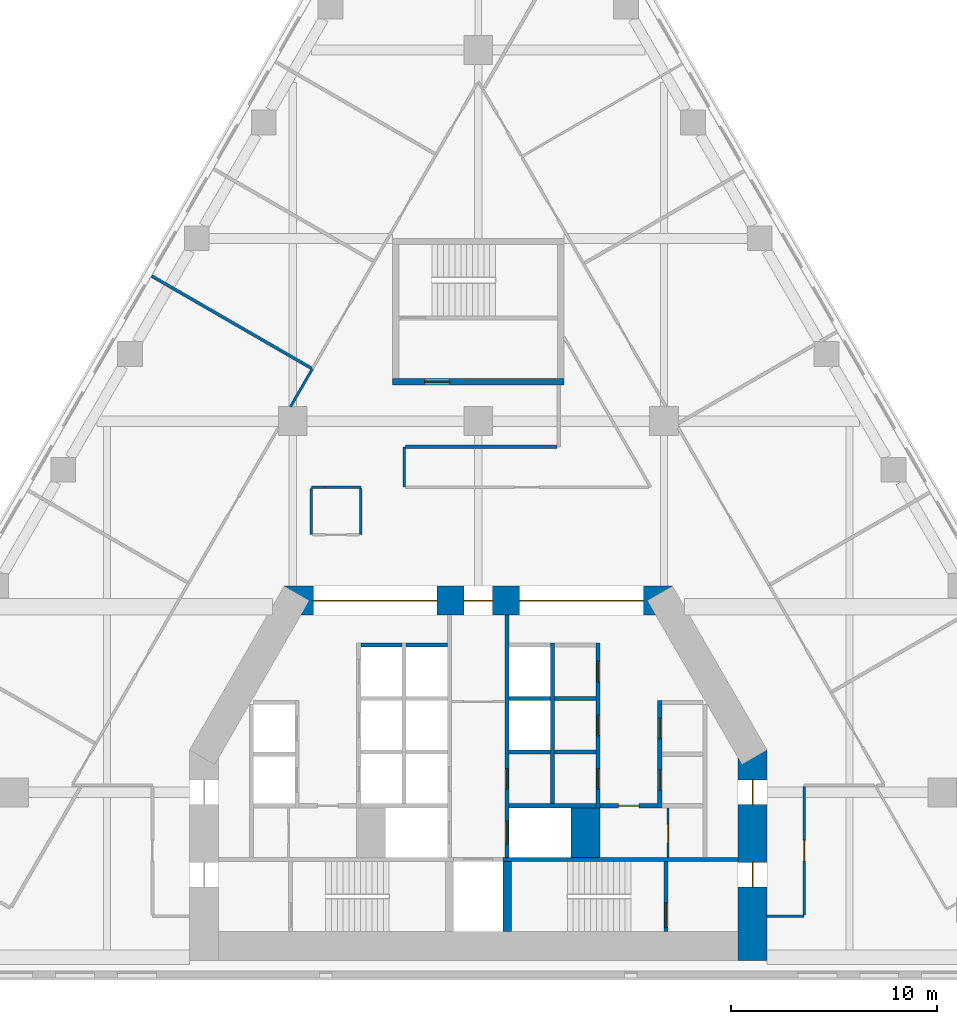
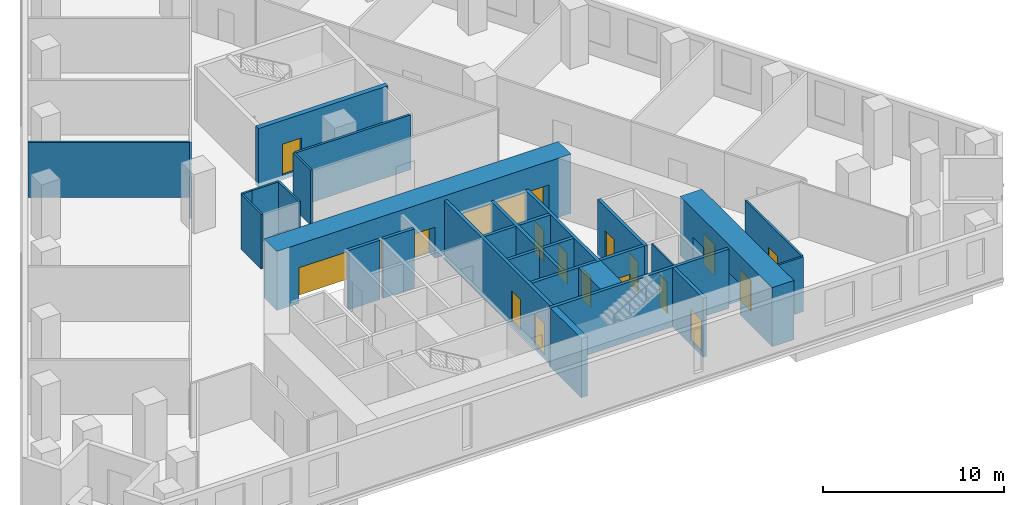
# One storey, part 5 of 9: 30 walls, 17 doors, 17 openings.
"""IFC4 building model written with IfcOpenShell, lengths in metres."""

from ifc_helpers import new_model, si_unit, direction, frame, frame_2d, origin, place, context, subcontext, project, spatial, rectangle, extrude, material, layer, layer_set, type_object, element, fill, save


model = new_model("IFC4")

# Units and contexts
model_context = context("Model", 3, precision=1e-05, world=origin(), true_north=direction((0.0, 1.0)))
body_context = subcontext(model_context, "Body", "Model", "MODEL_VIEW")
ifc_project = project(units=[si_unit("LENGTHUNIT", "METRE"), si_unit("AREAUNIT", "SQUARE_METRE"), si_unit("VOLUMEUNIT", "CUBIC_METRE"), si_unit("PLANEANGLEUNIT", "RADIAN"), si_unit("MASSUNIT", "GRAM", prefix="KILO")], contexts=[model_context])

# Site, building, storey
site_placement = place(None, origin())
site = spatial("IfcSite", under=ifc_project, at=site_placement, CompositionType="ELEMENT")
building_placement = place(site_placement, origin())
building = spatial("IfcBuilding", under=site, at=building_placement, Name="Fogline Exchange Tower", CompositionType="ELEMENT")
storey_placement = place(building_placement, frame((0.0, 0.0, 72.89990234375)))
storey = spatial("IfcBuildingStorey", under=building, at=storey_placement, Name="L15", CompositionType="ELEMENT", Elevation=72.89990234375)

# Wall, opening, door
ifc_material_1 = material(Name="Blockwork partition", Category="masonry")
ifc_layer_1 = layer(ifc_material_1, 0.10009765625)
ifc_layer_set_1 = layer_set([ifc_layer_1], Name="CW10")
wall_type_1 = type_object("IfcWallType", Name="CW10", PredefinedType="PARTITIONING", material=ifc_layer_set_1)
wall_1_placement = place(storey_placement, frame((9.199951171875, 5.85009765625, 0.0), z_axis=(0.0, 0.0, 1.0), x_axis=(0.0, 1.0, 0.0)))
wall_1 = element("IfcWall", 1, at=wall_1_placement, inside=storey, type_object=wall_type_1, Name="WC partition", PredefinedType="PARTITIONING", context=body_context, shape_type="SweptSolid", body=[
    extrude(rectangle(XDim=2.39990234375, YDim=0.10009765625, at=frame_2d((1.199951171875, 0.0))), origin(), (0.0, 0.0, 1.0), 3.7001953125),
])
opening_1_placement = place(wall_1_placement, frame((0.699951171875, 0.0, 0.0)))
opening_1 = element("IfcOpeningElement", 2, at=opening_1_placement, cuts=wall_1, Name="Opening T04-C013", PredefinedType="OPENING", context=body_context, shape_type="SweptSolid", body=[
    extrude(rectangle(XDim=0.89990234375, YDim=2.10009765625, at=frame_2d((0.449951171875, 1.050048828125))), frame((0.0, 0.06005859375, 0.0), z_axis=(0.0, -1.0, 0.0), x_axis=(1.0, 0.0, 0.0)), (0.0, 0.0, 1.0), 0.1201171875),
])
ifc_material_2 = material(Name="Steel and timber fire door", Category="steel")
door_type_1 = type_object("IfcDoorType", Name="D-CS1", OperationType="SINGLE_SWING_RIGHT", PredefinedType="DOOR", material=ifc_material_2)
door_1_placement = place(opening_1_placement, frame((0.89990234375, 0.0, 0.0), z_axis=(0.0, 0.0, 1.0), x_axis=(-1.0, 0.0, 0.0)))
door_1 = element("IfcDoor", 3, at=door_1_placement, inside=storey, type_object=door_type_1, Name="Door to Cleaner's Store", OperationType="SINGLE_SWING_RIGHT", OverallHeight=2.10009765625, OverallWidth=0.89990234375, PredefinedType="DOOR", context=body_context, shape_type="SweptSolid", body=[
    extrude(rectangle(XDim=0.89990234375, YDim=2.10009765625, at=frame_2d((0.449951171875, 1.050048828125))), frame((0.0, 0.02490234375, 0.0), z_axis=(0.0, -1.0, 0.0), x_axis=(1.0, 0.0, 0.0)), (0.0, 0.0, 1.0), 0.050048828125),
])
fill(opening_1, door_1)

# Wall
ifc_material_3 = material(Name="Concrete C60", Category="concrete")
ifc_layer_2 = layer(ifc_material_3, 1.39990234375)
ifc_layer_set_2 = layer_set([ifc_layer_2], Name="CW140")
wall_type_2 = type_object("IfcWallType", Name="CW140", PredefinedType="SOLIDWALL", material=ifc_layer_set_2)
wall_2_placement = place(storey_placement, frame((5.199951171875, 5.85009765625, -0.2998046875), z_axis=(0.0, 0.0, 1.0), x_axis=(0.0, 1.0, 0.0)))
element("IfcWall", 4, at=wall_2_placement, inside=storey, type_object=wall_type_2, Name="Lift shaft block wall", PredefinedType="SOLIDWALL", context=body_context, shape_type="SweptSolid", body=[
    extrude(rectangle(XDim=2.39990234375, YDim=1.39990234375, at=frame_2d((1.199951171875, 0.0))), origin(), (0.0, 0.0, 1.0), 4.0),
])

# Wall, opening, door
ifc_material_4 = material(Name="Concrete C40", Category="concrete")
ifc_layer_3 = layer(ifc_material_4, 0.199951171875)
ifc_layer_set_3 = layer_set([ifc_layer_3], Name="CW20")
wall_type_3 = type_object("IfcWallType", Name="CW20", PredefinedType="SOLIDWALL", material=ifc_layer_set_3)
wall_3_placement = place(storey_placement, frame((5.89990234375, 8.35009765625, 0.0), z_axis=(0.0, 0.0, 1.0), x_axis=(1.0, 0.0, 0.0)))
wall_3 = element("IfcWall", 5, at=wall_3_placement, inside=storey, type_object=wall_type_3, Name="WC wall", PredefinedType="SOLIDWALL", context=body_context, shape_type="SweptSolid", body=[
    extrude(rectangle(XDim=2.800048828125, YDim=0.199951171875, at=frame_2d((1.39990234375, 0.0))), origin(), (0.0, 0.0, 1.0), 3.7001953125),
])
opening_2_placement = place(wall_3_placement, frame((0.89990234375, 0.0, 0.0)))
opening_2 = element("IfcOpeningElement", 6, at=opening_2_placement, cuts=wall_3, Name="Opening T04-C012", PredefinedType="OPENING", context=body_context, shape_type="SweptSolid", body=[
    extrude(rectangle(XDim=1.0, YDim=2.10009765625, at=frame_2d((0.5, 1.050048828125))), frame((0.0, 0.10986328125, 0.0), z_axis=(0.0, -1.0, 0.0), x_axis=(1.0, 0.0, 0.0)), (0.0, 0.0, 1.0), 0.219970703125),
])
door_type_2 = type_object("IfcDoorType", Name="D-WC1", OperationType="SINGLE_SWING_LEFT", PredefinedType="DOOR", material=ifc_material_2)
door_2_placement = place(opening_2_placement, frame((1.0, 0.0, 0.0), z_axis=(0.0, 0.0, 1.0), x_axis=(-1.0, 0.0, 0.0)))
door_2 = element("IfcDoor", 7, at=door_2_placement, inside=storey, type_object=door_type_2, Name="Door to Women's WC", OperationType="SINGLE_SWING_LEFT", OverallHeight=2.10009765625, OverallWidth=1.0, PredefinedType="DOOR", context=body_context, shape_type="SweptSolid", body=[
    extrude(rectangle(XDim=1.0, YDim=2.10009765625, at=frame_2d((0.5, 1.050048828125))), frame((0.0, 0.02490234375, 0.0), z_axis=(0.0, -1.0, 0.0), x_axis=(1.0, 0.0, 0.0)), (0.0, 0.0, 1.0), 0.050048828125),
])
fill(opening_2, door_2)

# Wall
ifc_layer_4 = layer(ifc_material_4, 0.199951171875)
ifc_layer_set_4 = layer_set([ifc_layer_4], Name="CW20R")
wall_type_4 = type_object("IfcWallType", Name="CW20R", PredefinedType="SOLIDWALL", material=ifc_layer_set_4)
wall_4_placement = place(storey_placement, frame((1.199951171875, 5.75, -0.2998046875), z_axis=(0.0, 0.0, 1.0), x_axis=(1.0, 0.0, 0.0)))
element("IfcWall", 8, at=wall_4_placement, inside=storey, type_object=wall_type_4, Name="Stair enclosure wall", PredefinedType="SOLIDWALL", context=body_context, shape_type="SweptSolid", body=[
    extrude(rectangle(XDim=11.400146484375, YDim=0.199951171875, at=frame_2d((5.7001953125, 0.0))), origin(), (0.0, 0.0, 1.0), 4.0),
])

# Wall, opening, door
wall_5_placement = place(storey_placement, frame((9.10009765625, 2.25, -0.2998046875), z_axis=(0.0, 0.0, 1.0), x_axis=(0.0, 1.0, 0.0)))
wall_5 = element("IfcWall", 9, at=wall_5_placement, inside=storey, type_object=wall_type_4, Name="Stair enclosure wall", PredefinedType="SOLIDWALL", context=body_context, shape_type="SweptSolid", body=[
    extrude(rectangle(XDim=3.39990234375, YDim=0.199951171875, at=frame_2d((1.699951171875, 0.0))), origin(), (0.0, 0.0, 1.0), 4.0),
])
opening_3_placement = place(wall_5_placement, frame((0.199951171875, 0.0, 0.300048828125)))
opening_3 = element("IfcOpeningElement", 10, at=opening_3_placement, cuts=wall_5, Name="Opening T04-C015", PredefinedType="OPENING", context=body_context, shape_type="SweptSolid", body=[
    extrude(rectangle(XDim=1.199951171875, YDim=2.10009765625, at=frame_2d((0.60009765625, 1.050048828125))), frame((0.0, 0.10986328125, 0.0), z_axis=(0.0, -1.0, 0.0), x_axis=(1.0, 0.0, 0.0)), (0.0, 0.0, 1.0), 0.219970703125),
])
door_type_3 = type_object("IfcDoorType", Name="D-ST1", OperationType="SINGLE_SWING_LEFT", PredefinedType="DOOR", material=ifc_material_2)
door_3_placement = place(opening_3_placement, origin())
door_3 = element("IfcDoor", 11, at=door_3_placement, inside=storey, type_object=door_type_3, Name="Stair door ST2", OperationType="SINGLE_SWING_LEFT", OverallHeight=2.10009765625, OverallWidth=1.199951171875, PredefinedType="DOOR", context=body_context, shape_type="SweptSolid", body=[
    extrude(rectangle(XDim=1.199951171875, YDim=2.10009765625, at=frame_2d((0.60009765625, 1.050048828125))), frame((0.0, 0.02490234375, 0.0), z_axis=(0.0, -1.0, 0.0), x_axis=(1.0, 0.0, 0.0)), (0.0, 0.0, 1.0), 0.050048828125),
])
fill(opening_3, door_3)

# Wall, openings, doors
ifc_layer_5 = layer(ifc_material_4, 0.199951171875)
ifc_layer_set_5 = layer_set([ifc_layer_5], Name="CW20S")
wall_type_5 = type_object("IfcWallType", Name="CW20S", PredefinedType="SOLIDWALL", material=ifc_layer_set_5)
wall_6_placement = place(storey_placement, frame((8.800048828125, 8.25, -0.2998046875), z_axis=(0.0, 0.0, 1.0), x_axis=(0.0, 1.0, 0.0)))
wall_6 = element("IfcWall", 12, at=wall_6_placement, inside=storey, type_object=wall_type_5, Name="Lift shaft wall", PredefinedType="SOLIDWALL", context=body_context, shape_type="SweptSolid", body=[
    extrude(rectangle(XDim=5.199951171875, YDim=0.199951171875, at=frame_2d((2.60009765625, 0.0))), origin(), (0.0, 0.0, 1.0), 4.0),
])
opening_4_placement = place(wall_6_placement, frame((0.85009765625, 0.0, 0.300048828125)))
opening_4 = element("IfcOpeningElement", 13, at=opening_4_placement, cuts=wall_6, Name="Opening T04-C001", PredefinedType="OPENING", context=body_context, shape_type="SweptSolid", body=[
    extrude(rectangle(XDim=1.0, YDim=2.10009765625, at=frame_2d((0.5, 1.050048828125))), frame((0.0, 0.10986328125, 0.0), z_axis=(0.0, -1.0, 0.0), x_axis=(1.0, 0.0, 0.0)), (0.0, 0.0, 1.0), 0.219970703125),
])
opening_5_placement = place(wall_6_placement, frame((3.35009765625, 0.0, 0.300048828125)))
opening_5 = element("IfcOpeningElement", 14, at=opening_5_placement, cuts=wall_6, Name="Opening T04-C002", PredefinedType="OPENING", context=body_context, shape_type="SweptSolid", body=[
    extrude(rectangle(XDim=1.0, YDim=2.10009765625, at=frame_2d((0.5, 1.050048828125))), frame((0.0, 0.10986328125, 0.0), z_axis=(0.0, -1.0, 0.0), x_axis=(1.0, 0.0, 0.0)), (0.0, 0.0, 1.0), 0.219970703125),
])
door_type_4 = type_object("IfcDoorType", Name="D-RM1", OperationType="SINGLE_SWING_LEFT", PredefinedType="DOOR", material=ifc_material_2)
door_4_placement = place(opening_4_placement, frame((1.0, 0.0, 0.0), z_axis=(0.0, 0.0, 1.0), x_axis=(-1.0, 0.0, 0.0)))
door_4 = element("IfcDoor", 15, at=door_4_placement, inside=storey, type_object=door_type_4, Name="Door to Stationery Store", OperationType="SINGLE_SWING_LEFT", OverallHeight=2.10009765625, OverallWidth=1.0, PredefinedType="DOOR", context=body_context, shape_type="SweptSolid", body=[
    extrude(rectangle(XDim=1.0, YDim=2.10009765625, at=frame_2d((0.5, 1.050048828125))), frame((0.0, 0.02490234375, 0.0), z_axis=(0.0, -1.0, 0.0), x_axis=(1.0, 0.0, 0.0)), (0.0, 0.0, 1.0), 0.050048828125),
])
fill(opening_4, door_4)
door_5_placement = place(opening_5_placement, frame((1.0, 0.0, 0.0), z_axis=(0.0, 0.0, 1.0), x_axis=(-1.0, 0.0, 0.0)))
door_5 = element("IfcDoor", 16, at=door_5_placement, inside=storey, type_object=door_type_4, Name="Door to Records Store", OperationType="SINGLE_SWING_LEFT", OverallHeight=2.10009765625, OverallWidth=1.0, PredefinedType="DOOR", context=body_context, shape_type="SweptSolid", body=[
    extrude(rectangle(XDim=1.0, YDim=2.10009765625, at=frame_2d((0.5, 1.050048828125))), frame((0.0, 0.02490234375, 0.0), z_axis=(0.0, -1.0, 0.0), x_axis=(1.0, 0.0, 0.0)), (0.0, 0.0, 1.0), 0.050048828125),
])
fill(opening_5, door_5)

wall_7_placement = place(storey_placement, frame((5.800048828125, 8.25, -0.2998046875), z_axis=(0.0, 0.0, 1.0), x_axis=(0.0, 1.0, 0.0)))
wall_7 = element("IfcWall", 17, at=wall_7_placement, inside=storey, type_object=wall_type_5, Name="Lift shaft wall", PredefinedType="SOLIDWALL", context=body_context, shape_type="SweptSolid", body=[
    extrude(rectangle(XDim=8.0, YDim=0.199951171875, at=frame_2d((4.0, 0.0))), origin(), (0.0, 0.0, 1.0), 4.0),
])
opening_6_placement = place(wall_7_placement, frame((0.89990234375, 0.0, 0.300048828125)))
opening_6 = element("IfcOpeningElement", 18, at=opening_6_placement, cuts=wall_7, Name="Opening T04-C003", PredefinedType="OPENING", context=body_context, shape_type="SweptSolid", body=[
    extrude(rectangle(XDim=1.0, YDim=2.10009765625, at=frame_2d((0.5, 1.050048828125))), frame((0.0, 0.10986328125, 0.0), z_axis=(0.0, -1.0, 0.0), x_axis=(1.0, 0.0, 0.0)), (0.0, 0.0, 1.0), 0.219970703125),
])
opening_7_placement = place(wall_7_placement, frame((3.5, 0.0, 0.300048828125)))
opening_7 = element("IfcOpeningElement", 19, at=opening_7_placement, cuts=wall_7, Name="Opening T04-C004", PredefinedType="OPENING", context=body_context, shape_type="SweptSolid", body=[
    extrude(rectangle(XDim=1.0, YDim=2.10009765625, at=frame_2d((0.5, 1.050048828125))), frame((0.0, 0.10986328125, 0.0), z_axis=(0.0, -1.0, 0.0), x_axis=(1.0, 0.0, 0.0)), (0.0, 0.0, 1.0), 0.219970703125),
])
opening_8_placement = place(wall_7_placement, frame((6.10009765625, 0.0, 0.300048828125)))
opening_8 = element("IfcOpeningElement", 20, at=opening_8_placement, cuts=wall_7, Name="Opening T04-C005", PredefinedType="OPENING", context=body_context, shape_type="SweptSolid", body=[
    extrude(rectangle(XDim=1.0, YDim=2.10009765625, at=frame_2d((0.5, 1.050048828125))), frame((0.0, 0.10986328125, 0.0), z_axis=(0.0, -1.0, 0.0), x_axis=(1.0, 0.0, 0.0)), (0.0, 0.0, 1.0), 0.219970703125),
])
door_6_placement = place(opening_6_placement, origin())
door_6 = element("IfcDoor", 21, at=door_6_placement, inside=storey, type_object=door_type_4, Name="Door to Riser Room", OperationType="SINGLE_SWING_RIGHT", OverallHeight=2.10009765625, OverallWidth=1.0, PredefinedType="DOOR", context=body_context, shape_type="SweptSolid", body=[
    extrude(rectangle(XDim=1.0, YDim=2.10009765625, at=frame_2d((0.5, 1.050048828125))), frame((0.0, 0.02490234375, 0.0), z_axis=(0.0, -1.0, 0.0), x_axis=(1.0, 0.0, 0.0)), (0.0, 0.0, 1.0), 0.050048828125),
])
fill(opening_6, door_6)
door_7_placement = place(opening_7_placement, origin())
door_7 = element("IfcDoor", 22, at=door_7_placement, inside=storey, type_object=door_type_4, Name="Door to Plant Room", OperationType="SINGLE_SWING_LEFT", OverallHeight=2.10009765625, OverallWidth=1.0, PredefinedType="DOOR", context=body_context, shape_type="SweptSolid", body=[
    extrude(rectangle(XDim=1.0, YDim=2.10009765625, at=frame_2d((0.5, 1.050048828125))), frame((0.0, 0.02490234375, 0.0), z_axis=(0.0, -1.0, 0.0), x_axis=(1.0, 0.0, 0.0)), (0.0, 0.0, 1.0), 0.050048828125),
])
fill(opening_7, door_7)
door_8_placement = place(opening_8_placement, origin())
door_8 = element("IfcDoor", 23, at=door_8_placement, inside=storey, type_object=door_type_4, Name="Door to Cable Store", OperationType="SINGLE_SWING_LEFT", OverallHeight=2.10009765625, OverallWidth=1.0, PredefinedType="DOOR", context=body_context, shape_type="SweptSolid", body=[
    extrude(rectangle(XDim=1.0, YDim=2.10009765625, at=frame_2d((0.5, 1.050048828125))), frame((0.0, 0.02490234375, 0.0), z_axis=(0.0, -1.0, 0.0), x_axis=(1.0, 0.0, 0.0)), (0.0, 0.0, 1.0), 0.050048828125),
])
fill(opening_8, door_8)

# Wall
wall_8_placement = place(storey_placement, frame((3.60009765625, 8.449951171875, -0.2998046875), z_axis=(0.0, 0.0, 1.0), x_axis=(0.0, 1.0, 0.0)))
element("IfcWall", 24, at=wall_8_placement, inside=storey, type_object=wall_type_5, Name="Lift shaft wall", PredefinedType="SOLIDWALL", context=body_context, shape_type="SweptSolid", body=[
    extrude(rectangle(XDim=7.800048828125, YDim=0.199951171875, at=frame_2d((3.89990234375, 0.0))), origin(), (0.0, 0.0, 1.0), 4.0),
])

# Wall, openings, doors
wall_9_placement = place(storey_placement, frame((1.39990234375, 5.85009765625, -0.2998046875), z_axis=(0.0, 0.0, 1.0), x_axis=(0.0, 1.0, 0.0)))
wall_9 = element("IfcWall", 25, at=wall_9_placement, inside=storey, type_object=wall_type_5, Name="Lift lobby wall", PredefinedType="SOLIDWALL", context=body_context, shape_type="SweptSolid", body=[
    extrude(rectangle(XDim=11.75, YDim=0.199951171875, at=frame_2d((5.875, 0.0))), origin(), (0.0, 0.0, 1.0), 4.0),
])
opening_9_placement = place(wall_9_placement, frame((0.64990234375, 0.0, 0.300048828125)))
opening_9 = element("IfcOpeningElement", 26, at=opening_9_placement, cuts=wall_9, Name="Opening T04-LD08", PredefinedType="OPENING", context=body_context, shape_type="SweptSolid", body=[
    extrude(rectangle(XDim=1.10009765625, YDim=2.10009765625, at=frame_2d((0.550048828125, 1.050048828125))), frame((0.0, 0.10986328125, 0.0), z_axis=(0.0, -1.0, 0.0), x_axis=(1.0, 0.0, 0.0)), (0.0, 0.0, 1.0), 0.219970703125),
])
opening_10_placement = place(wall_9_placement, frame((3.300048828125, 0.0, 0.300048828125)))
opening_10 = element("IfcOpeningElement", 27, at=opening_10_placement, cuts=wall_9, Name="Opening T04-C006", PredefinedType="OPENING", context=body_context, shape_type="SweptSolid", body=[
    extrude(rectangle(XDim=1.0, YDim=2.10009765625, at=frame_2d((0.5, 1.050048828125))), frame((0.0, 0.10986328125, 0.0), z_axis=(0.0, -1.0, 0.0), x_axis=(1.0, 0.0, 0.0)), (0.0, 0.0, 1.0), 0.219970703125),
])
door_9_placement = place(opening_10_placement, frame((1.0, 0.0, 0.0), z_axis=(0.0, 0.0, 1.0), x_axis=(-1.0, 0.0, 0.0)))
door_9 = element("IfcDoor", 28, at=door_9_placement, inside=storey, type_object=door_type_4, Name="Door to Server Room", OperationType="SINGLE_SWING_RIGHT", OverallHeight=2.10009765625, OverallWidth=1.0, PredefinedType="DOOR", context=body_context, shape_type="SweptSolid", body=[
    extrude(rectangle(XDim=1.0, YDim=2.10009765625, at=frame_2d((0.5, 1.050048828125))), frame((0.0, 0.02490234375, 0.0), z_axis=(0.0, -1.0, 0.0), x_axis=(1.0, 0.0, 0.0)), (0.0, 0.0, 1.0), 0.050048828125),
])
fill(opening_10, door_9)
door_type_5 = type_object("IfcDoorType", Name="LD2", OperationType="SLIDING_TO_RIGHT", PredefinedType="DOOR", material=ifc_material_2)
door_10_placement = place(opening_9_placement, origin())
door_10 = element("IfcDoor", 29, at=door_10_placement, inside=storey, type_object=door_type_5, Name="Landing door FF2", OperationType="SLIDING_TO_RIGHT", OverallHeight=2.10009765625, OverallWidth=1.10009765625, PredefinedType="DOOR", context=body_context, shape_type="SweptSolid", body=[
    extrude(rectangle(XDim=1.10009765625, YDim=2.10009765625, at=frame_2d((0.550048828125, 1.050048828125))), frame((0.0, 0.02490234375, 0.0), z_axis=(0.0, -1.0, 0.0), x_axis=(1.0, 0.0, 0.0)), (0.0, 0.0, 1.0), 0.050048828125),
])
fill(opening_9, door_10)

# Walls
wall_10_placement = place(storey_placement, frame((1.5, 8.35009765625, -0.2998046875), z_axis=(0.0, 0.0, 1.0), x_axis=(1.0, 0.0, 0.0)))
element("IfcWall", 30, at=wall_10_placement, inside=storey, type_object=wall_type_5, Name="Lift shaft wall", PredefinedType="SOLIDWALL", context=body_context, shape_type="SweptSolid", body=[
    extrude(rectangle(XDim=4.199951171875, YDim=0.199951171875, at=frame_2d((2.10009765625, 0.0))), origin(), (0.0, 0.0, 1.0), 4.0),
])
for number, where, z_axis, x_axis, name in (
    (31, (-5.699951171875, 16.14990234375, -0.2998046875), (0.0, 0.0, 1.0), (1.0, 0.0, 0.0), "Lift shaft wall"),
    (32, (-3.5, 16.14990234375, -0.2998046875), (0.0, 0.0, 1.0), (1.0, 0.0, 0.0), "Lift shaft wall"),
    (33, (3.699951171875, 10.949951171875, -0.2998046875), (0.0, 0.0, 1.0), (1.0, 0.0, 0.0), "Lift shaft wall"),
    (34, (3.699951171875, 13.550048828125, -0.2998046875), (0.0, 0.0, 1.0), (1.0, 0.0, 0.0), "Lift shaft wall"),
    (35, (1.5, 10.949951171875, -0.2998046875), (0.0, 0.0, 1.0), (1.0, 0.0, 0.0), "Lift shaft wall"),
    (36, (1.5, 13.550048828125, -0.2998046875), (0.0, 0.0, 1.0), (1.0, 0.0, 0.0), "Lift shaft wall"),
):
    element("IfcWall", number, at=place(storey_placement, frame(where, z_axis=z_axis, x_axis=x_axis)), inside=storey, type_object=wall_type_5, Name=name, PredefinedType="SOLIDWALL", context=body_context, shape_type="SweptSolid", body=[
        extrude(rectangle(XDim=2.0, YDim=0.199951171875, at=frame_2d((1.0, 0.0))), origin(), (0.0, 0.0, 1.0), 4.0),
    ])

# Wall, opening, door
ifc_layer_6 = layer(ifc_material_4, 0.300048828125)
ifc_layer_set_6 = layer_set([ifc_layer_6], Name="CW30")
wall_type_6 = type_object("IfcWallType", Name="CW30", PredefinedType="SOLIDWALL", material=ifc_layer_set_6)
wall_11_placement = place(storey_placement, frame((-4.14990234375, 28.906982421875, -0.2998046875), z_axis=(0.0, 0.0, 1.0), x_axis=(1.0, 0.0, 0.0)))
wall_11 = element("IfcWall", 37, at=wall_11_placement, inside=storey, type_object=wall_type_6, Name="Stair enclosure wall ST3", PredefinedType="SOLIDWALL", context=body_context, shape_type="SweptSolid", body=[
    extrude(rectangle(XDim=8.2998046875, YDim=0.300048828125, at=frame_2d((4.14990234375, 0.0))), origin(), (0.0, 0.0, 1.0), 4.0),
])
opening_11_placement = place(wall_11_placement, frame((1.550048828125, 0.0, 0.300048828125)))
opening_11 = element("IfcOpeningElement", 38, at=opening_11_placement, cuts=wall_11, Name="Opening T04-C021", PredefinedType="OPENING", context=body_context, shape_type="SweptSolid", body=[
    extrude(rectangle(XDim=1.199951171875, YDim=2.10009765625, at=frame_2d((0.60009765625, 1.050048828125))), frame((0.0, 0.16015625, 0.0), z_axis=(0.0, -1.0, 0.0), x_axis=(1.0, 0.0, 0.0)), (0.0, 0.0, 1.0), 0.320068359375),
])
door_type_6 = type_object("IfcDoorType", Name="D-FR1", OperationType="SINGLE_SWING_RIGHT", PredefinedType="DOOR", material=ifc_material_2)
door_11_placement = place(opening_11_placement, origin())
door_11 = element("IfcDoor", 39, at=door_11_placement, inside=storey, type_object=door_type_6, Name="Front room door ST3", OperationType="SINGLE_SWING_LEFT", OverallHeight=2.10009765625, OverallWidth=1.199951171875, PredefinedType="DOOR", context=body_context, shape_type="SweptSolid", body=[
    extrude(rectangle(XDim=1.199951171875, YDim=2.10009765625, at=frame_2d((0.60009765625, 1.050048828125))), frame((0.0, 0.02490234375, 0.0), z_axis=(0.0, -1.0, 0.0), x_axis=(1.0, 0.0, 0.0)), (0.0, 0.0, 1.0), 0.050048828125),
])
fill(opening_11, door_11)

# Wall
ifc_layer_7 = layer(ifc_material_4, 0.39990234375)
ifc_layer_set_7 = layer_set([ifc_layer_7], Name="CW40R")
wall_type_7 = type_object("IfcWallType", Name="CW40R", PredefinedType="SOLIDWALL", material=ifc_layer_set_7)
wall_12_placement = place(storey_placement, frame((1.39990234375, 2.25, -0.2998046875), z_axis=(0.0, 0.0, 1.0), x_axis=(0.0, 1.0, 0.0)))
element("IfcWall", 40, at=wall_12_placement, inside=storey, type_object=wall_type_7, Name="Stair and lift shaft wall", PredefinedType="SOLIDWALL", context=body_context, shape_type="SweptSolid", body=[
    extrude(rectangle(XDim=3.39990234375, YDim=0.39990234375, at=frame_2d((1.699951171875, 0.0))), origin(), (0.0, 0.0, 1.0), 4.0),
])

# Wall, opening, door
ifc_material_5 = material(Name="Plasterboard corridor partition with mineral wool, 2 layers each side")
ifc_layer_8 = layer(ifc_material_5, 0.125)
ifc_layer_set_8 = layer_set([ifc_layer_8], Name="PW2")
wall_type_8 = type_object("IfcWallType", Name="PW2", PredefinedType="PARTITIONING", material=ifc_layer_set_8)
wall_13_placement = place(storey_placement, frame((15.800048828125, 9.277587890625, 0.0), z_axis=(0.0, 0.0, 1.0), x_axis=(0.0, -1.0, 0.0)))
wall_13 = element("IfcWall", 41, at=wall_13_placement, inside=storey, type_object=wall_type_8, Name="wall-L15-W001", PredefinedType="PARTITIONING", context=body_context, shape_type="SweptSolid", body=[
    extrude(rectangle(XDim=6.215087890625, YDim=0.125, at=frame_2d((3.107421875, 0.0))), origin(), (0.0, 0.0, 1.0), 3.7001953125),
])
opening_12_placement = place(wall_13_placement, frame((2.607421875, 0.0, 0.0)))
opening_12 = element("IfcOpeningElement", 42, at=opening_12_placement, cuts=wall_13, Name="Opening T04-D001", PredefinedType="OPENING", context=body_context, shape_type="SweptSolid", body=[
    extrude(rectangle(XDim=1.0, YDim=2.10009765625, at=frame_2d((0.5, 1.050048828125))), frame((0.0, 0.072509765625, 0.0), z_axis=(0.0, -1.0, 0.0), x_axis=(1.0, 0.0, 0.0)), (0.0, 0.0, 1.0), 0.14501953125),
])
ifc_material_6 = material(Name="Fire-rated timber door leaf with steel frame", Category="steel")
door_type_7 = type_object("IfcDoorType", Name="D3", OperationType="SINGLE_SWING_LEFT", PredefinedType="DOOR", material=ifc_material_6)
door_12_placement = place(opening_12_placement, origin())
door_12 = element("IfcDoor", 43, at=door_12_placement, inside=storey, type_object=door_type_7, Name="door-L15-D001", OperationType="SINGLE_SWING_LEFT", OverallHeight=2.10009765625, OverallWidth=1.0, PredefinedType="DOOR", context=body_context, shape_type="SweptSolid", body=[
    extrude(rectangle(XDim=1.0, YDim=2.10009765625, at=frame_2d((0.5, 1.050048828125))), frame((0.0, 0.02490234375, 0.0), z_axis=(0.0, -1.0, 0.0), x_axis=(1.0, 0.0, 0.0)), (0.0, 0.0, 1.0), 0.050048828125),
])
fill(opening_12, door_12)

# Walls
wall_14_placement = place(storey_placement, frame((15.800048828125, 3.0, 0.0), z_axis=(0.0, 0.0, 1.0), x_axis=(-1.0, 0.0, 0.0)))
element("IfcWall", 44, at=wall_14_placement, inside=storey, type_object=wall_type_8, Name="wall-L15-W002", PredefinedType="PARTITIONING", context=body_context, shape_type="SweptSolid", body=[
    extrude(rectangle(XDim=1.800048828125, YDim=0.125, at=frame_2d((0.89990234375, 0.0))), origin(), (0.0, 0.0, 1.0), 3.7001953125),
])
for number, where, z_axis, x_axis, name in (
    (45, (-8.10009765625, 23.737548828125, 0.0), (0.0, 0.0, 1.0), (0.0, -1.0, 0.0), "wall-L15-W004"),
    (46, (-5.699951171875, 21.5, 0.0), (0.0, 0.0, 1.0), (0.0, 1.0, 0.0), "wall-L15-W006"),
):
    element("IfcWall", number, at=place(storey_placement, frame(where, z_axis=z_axis, x_axis=x_axis)), inside=storey, type_object=wall_type_8, Name=name, PredefinedType="PARTITIONING", context=body_context, shape_type="SweptSolid", body=[
        extrude(rectangle(XDim=2.237548828125, YDim=0.125, at=frame_2d((1.11865234375, 0.0))), origin(), (0.0, 0.0, 1.0), 3.7001953125),
    ])
wall_15_placement = place(storey_placement, frame((-9.10546875, 27.699951171875, 0.0), z_axis=(0.0, 0.0, 1.0), x_axis=(0.500037910135, 0.866003515251, 0.0)))
element("IfcWall", 47, at=wall_15_placement, inside=storey, type_object=wall_type_8, Name="wall-L15-W019", PredefinedType="PARTITIONING", context=body_context, shape_type="SweptSolid", body=[
    extrude(rectangle(XDim=2.121337890625, YDim=0.125, at=frame_2d((1.060546875, 0.0))), origin(), (0.0, 0.0, 1.0), 3.7001953125),
])
wall_16_placement = place(storey_placement, frame((-7.447998046875, 23.800048828125, 0.0), z_axis=(0.0, 0.0, 1.0), x_axis=(-1.0, 0.0, 0.0)))
element("IfcWall", 48, at=wall_16_placement, inside=storey, type_object=wall_type_8, Name="wall-L15-W020", PredefinedType="PARTITIONING", context=body_context, shape_type="SweptSolid", body=[
    extrude(rectangle(XDim=0.652099609375, YDim=0.125, at=frame_2d((0.326171875, 0.0))), origin(), (0.0, 0.0, 1.0), 3.7001953125),
])
wall_17_placement = place(storey_placement, frame((-3.60009765625, 25.757080078125, 0.0), z_axis=(0.0, 0.0, 1.0), x_axis=(0.0, -1.0, 0.0)))
element("IfcWall", 49, at=wall_17_placement, inside=storey, type_object=wall_type_8, Name="wall-L15-W031", PredefinedType="PARTITIONING", context=body_context, shape_type="SweptSolid", body=[
    extrude(rectangle(XDim=1.95703125, YDim=0.125, at=frame_2d((0.978515625, 0.0))), origin(), (0.0, 0.0, 1.0), 3.7001953125),
])
wall_18_placement = place(storey_placement, frame((-5.699951171875, 23.800048828125, 0.0), z_axis=(0.0, 0.0, 1.0), x_axis=(-1.0, 0.0, 0.0)))
element("IfcWall", 50, at=wall_18_placement, inside=storey, type_object=wall_type_8, Name="wall-L15-W032", PredefinedType="PARTITIONING", context=body_context, shape_type="SweptSolid", body=[
    extrude(rectangle(XDim=1.748046875, YDim=0.125, at=frame_2d((0.8740234375, 0.0))), origin(), (0.0, 0.0, 1.0), 3.7001953125),
])
ifc_material_7 = material(Name="Plasterboard demising partition with mineral wool and acoustic board")
ifc_layer_9 = layer(ifc_material_7, 0.14990234375)
ifc_layer_set_9 = layer_set([ifc_layer_9], Name="PW3")
wall_type_9 = type_object("IfcWallType", Name="PW3", PredefinedType="PARTITIONING", material=ifc_layer_set_9)
wall_19_placement = place(storey_placement, frame((-8.098876953125, 29.568359375, 0.0), z_axis=(0.0, 0.0, 1.0), x_axis=(-0.866022276127, 0.500005417223, 0.0)))
element("IfcWall", 51, at=wall_19_placement, inside=storey, type_object=wall_type_9, Name="wall-L15-W042", PredefinedType="PARTITIONING", context=body_context, shape_type="SweptSolid", body=[
    extrude(rectangle(XDim=8.9375, YDim=0.14990234375, at=frame_2d((4.46875, 0.0))), origin(), (0.0, 0.0, 1.0), 3.7001953125),
])
ifc_material_8 = material(Name="Plasterboard stair lobby partition, 3 layers each side on steel studs", Category="steel")
ifc_layer_10 = layer(ifc_material_8, 0.14990234375)
ifc_layer_set_10 = layer_set([ifc_layer_10], Name="PW4")
wall_type_10 = type_object("IfcWallType", Name="PW4", PredefinedType="PARTITIONING", material=ifc_layer_set_10)
wall_20_placement = place(storey_placement, frame((3.824951171875, 25.757080078125, 0.0), z_axis=(0.0, 0.0, 1.0), x_axis=(-1.0, 0.0, 0.0)))
element("IfcWall", 52, at=wall_20_placement, inside=storey, type_object=wall_type_10, Name="wall-L15-W030", PredefinedType="PARTITIONING", context=body_context, shape_type="SweptSolid", body=[
    extrude(rectangle(XDim=7.362548828125, YDim=0.14990234375, at=frame_2d((3.68115234375, 0.0))), origin(), (0.0, 0.0, 1.0), 3.7001953125),
])

# Wall, openings, doors
ifc_layer_11 = layer(ifc_material_3, 1.39990234375)
ifc_layer_set_11 = layer_set([ifc_layer_11], Name="SW01")
wall_type_11 = type_object("IfcWallType", Name="SW01", PredefinedType="SHEAR", material=ifc_layer_set_11)
wall_21_placement = place(storey_placement, frame((13.300048828125, 0.85009765625, 0.0), z_axis=(0.0, 0.0, 1.0), x_axis=(0.0, 1.0, 0.0)))
wall_21 = element("IfcWall", 53, at=wall_21_placement, inside=storey, type_object=wall_type_11, Name="L15-W902", PredefinedType="SHEAR", context=body_context, shape_type="SweptSolid", body=[
    extrude(rectangle(XDim=10.202392578125, YDim=1.39990234375, at=frame_2d((5.10107421875, 0.0))), origin(), (0.0, 0.0, 1.0), 4.0),
])
opening_13_placement = place(wall_21_placement, frame((3.550048828125, 0.0, 0.0)))
opening_13 = element("IfcOpeningElement", 54, at=opening_13_placement, cuts=wall_21, Name="Opening T04-C014", PredefinedType="OPENING", context=body_context, shape_type="SweptSolid", body=[
    extrude(rectangle(XDim=1.199951171875, YDim=2.10009765625, at=frame_2d((0.60009765625, 1.050048828125))), frame((0.0, 0.7099609375, 0.0), z_axis=(0.0, -1.0, 0.0), x_axis=(1.0, 0.0, 0.0)), (0.0, 0.0, 1.0), 1.419921875),
])
opening_14_placement = place(wall_21_placement, frame((7.550048828125, 0.0, 0.0)))
opening_14 = element("IfcOpeningElement", 55, at=opening_14_placement, cuts=wall_21, Name="Opening T04-C016", PredefinedType="OPENING", context=body_context, shape_type="SweptSolid", body=[
    extrude(rectangle(XDim=1.199951171875, YDim=2.10009765625, at=frame_2d((0.60009765625, 1.050048828125))), frame((0.0, 0.7099609375, 0.0), z_axis=(0.0, -1.0, 0.0), x_axis=(1.0, 0.0, 0.0)), (0.0, 0.0, 1.0), 1.419921875),
])
door_13_placement = place(opening_13_placement, origin())
door_13 = element("IfcDoor", 56, at=door_13_placement, inside=storey, type_object=door_type_6, Name="Front room door ST2", OperationType="SINGLE_SWING_RIGHT", OverallHeight=2.10009765625, OverallWidth=1.199951171875, PredefinedType="DOOR", context=body_context, shape_type="SweptSolid", body=[
    extrude(rectangle(XDim=1.199951171875, YDim=2.10009765625, at=frame_2d((0.60009765625, 1.050048828125))), frame((0.0, 0.02490234375, 0.0), z_axis=(0.0, -1.0, 0.0), x_axis=(1.0, 0.0, 0.0)), (0.0, 0.0, 1.0), 0.050048828125),
])
fill(opening_13, door_13)
door_type_8 = type_object("IfcDoorType", Name="D-SV1", OperationType="SINGLE_SWING_LEFT", PredefinedType="DOOR", material=ifc_material_2)
door_14_placement = place(opening_14_placement, origin())
door_14 = element("IfcDoor", 57, at=door_14_placement, inside=storey, type_object=door_type_8, Name="Service door E", OperationType="SINGLE_SWING_RIGHT", OverallHeight=2.10009765625, OverallWidth=1.199951171875, PredefinedType="DOOR", context=body_context, shape_type="SweptSolid", body=[
    extrude(rectangle(XDim=1.199951171875, YDim=2.10009765625, at=frame_2d((0.60009765625, 1.050048828125))), frame((0.0, 0.02490234375, 0.0), z_axis=(0.0, -1.0, 0.0), x_axis=(1.0, 0.0, 0.0)), (0.0, 0.0, 1.0), 0.050048828125),
])
fill(opening_14, door_14)

wall_22_placement = place(storey_placement, frame((9.41162109375, 18.300048828125, 0.0), z_axis=(0.0, 0.0, 1.0), x_axis=(-1.0, 0.0, 0.0)))
wall_22 = element("IfcWall", 58, at=wall_22_placement, inside=storey, type_object=wall_type_11, Name="L15-W904", PredefinedType="SHEAR", context=body_context, shape_type="SweptSolid", body=[
    extrude(rectangle(XDim=18.8232421875, YDim=1.39990234375, at=frame_2d((9.41162109375, 0.0))), origin(), (0.0, 0.0, 1.0), 4.0),
])
opening_15_placement = place(wall_22_placement, frame((8.71142578125, 0.0, 0.0)))
opening_15 = element("IfcOpeningElement", 59, at=opening_15_placement, cuts=wall_22, Name="Opening T04-C018", PredefinedType="OPENING", context=body_context, shape_type="SweptSolid", body=[
    extrude(rectangle(XDim=1.39990234375, YDim=2.10009765625, at=frame_2d((0.699951171875, 1.050048828125))), frame((0.0, 0.7099609375, 0.0), z_axis=(0.0, -1.0, 0.0), x_axis=(1.0, 0.0, 0.0)), (0.0, 0.0, 1.0), 1.419921875),
])
opening_16_placement = place(wall_22_placement, frame((11.41162109375, 0.0, 0.0)))
opening_16 = element("IfcOpeningElement", 60, at=opening_16_placement, cuts=wall_22, Name="Opening T04-C019", PredefinedType="OPENING", context=body_context, shape_type="SweptSolid", body=[
    extrude(rectangle(XDim=6.0, YDim=2.39990234375, at=frame_2d((3.0, 1.199951171875))), frame((0.0, 0.7099609375, 0.0), z_axis=(0.0, -1.0, 0.0), x_axis=(1.0, 0.0, 0.0)), (0.0, 0.0, 1.0), 1.419921875),
])
opening_17_placement = place(wall_22_placement, frame((1.41162109375, 0.0, 0.0)))
opening_17 = element("IfcOpeningElement", 61, at=opening_17_placement, cuts=wall_22, Name="Opening T04-C020", PredefinedType="OPENING", context=body_context, shape_type="SweptSolid", body=[
    extrude(rectangle(XDim=6.0, YDim=2.39990234375, at=frame_2d((3.0, 1.199951171875))), frame((0.0, 0.7099609375, 0.0), z_axis=(0.0, -1.0, 0.0), x_axis=(1.0, 0.0, 0.0)), (0.0, 0.0, 1.0), 1.419921875),
])
door_type_9 = type_object("IfcDoorType", Name="D-LB1", OperationType="DOUBLE_DOOR_SINGLE_SWING", PredefinedType="DOOR", material=ifc_material_2)
door_15_placement = place(opening_15_placement, origin())
door_15 = element("IfcDoor", 62, at=door_15_placement, inside=storey, type_object=door_type_9, Name="Protected lobby door", OperationType="DOUBLE_DOOR_SINGLE_SWING", OverallHeight=2.10009765625, OverallWidth=1.39990234375, PredefinedType="DOOR", context=body_context, shape_type="SweptSolid", body=[
    extrude(rectangle(XDim=1.39990234375, YDim=2.10009765625, at=frame_2d((0.699951171875, 1.050048828125))), frame((0.0, 0.02490234375, 0.0), z_axis=(0.0, -1.0, 0.0), x_axis=(1.0, 0.0, 0.0)), (0.0, 0.0, 1.0), 0.050048828125),
])
fill(opening_15, door_15)
door_type_10 = type_object("IfcDoorType", Name="D-LE1", OperationType="DOUBLE_DOOR_SLIDING", PredefinedType="DOOR", material=ifc_material_2)
door_16_placement = place(opening_16_placement, origin())
door_16 = element("IfcDoor", 63, at=door_16_placement, inside=storey, type_object=door_type_10, Name="Lift lobby entrance west", OperationType="DOUBLE_DOOR_SLIDING", OverallHeight=2.39990234375, OverallWidth=6.0, PredefinedType="DOOR", context=body_context, shape_type="SweptSolid", body=[
    extrude(rectangle(XDim=6.0, YDim=2.39990234375, at=frame_2d((3.0, 1.199951171875))), frame((0.0, 0.02490234375, 0.0), z_axis=(0.0, -1.0, 0.0), x_axis=(1.0, 0.0, 0.0)), (0.0, 0.0, 1.0), 0.050048828125),
])
fill(opening_16, door_16)
door_17_placement = place(opening_17_placement, origin())
door_17 = element("IfcDoor", 64, at=door_17_placement, inside=storey, type_object=door_type_10, Name="Lift lobby entrance east", OperationType="DOUBLE_DOOR_SLIDING", OverallHeight=2.39990234375, OverallWidth=6.0, PredefinedType="DOOR", context=body_context, shape_type="SweptSolid", body=[
    extrude(rectangle(XDim=6.0, YDim=2.39990234375, at=frame_2d((3.0, 1.199951171875))), frame((0.0, 0.02490234375, 0.0), z_axis=(0.0, -1.0, 0.0), x_axis=(1.0, 0.0, 0.0)), (0.0, 0.0, 1.0), 0.050048828125),
])
fill(opening_17, door_17)

save(model, "model.ifc")
